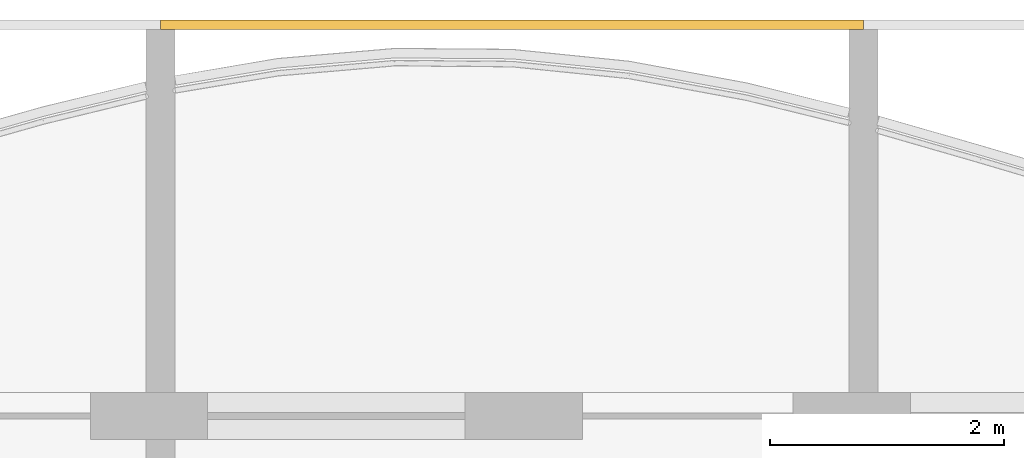
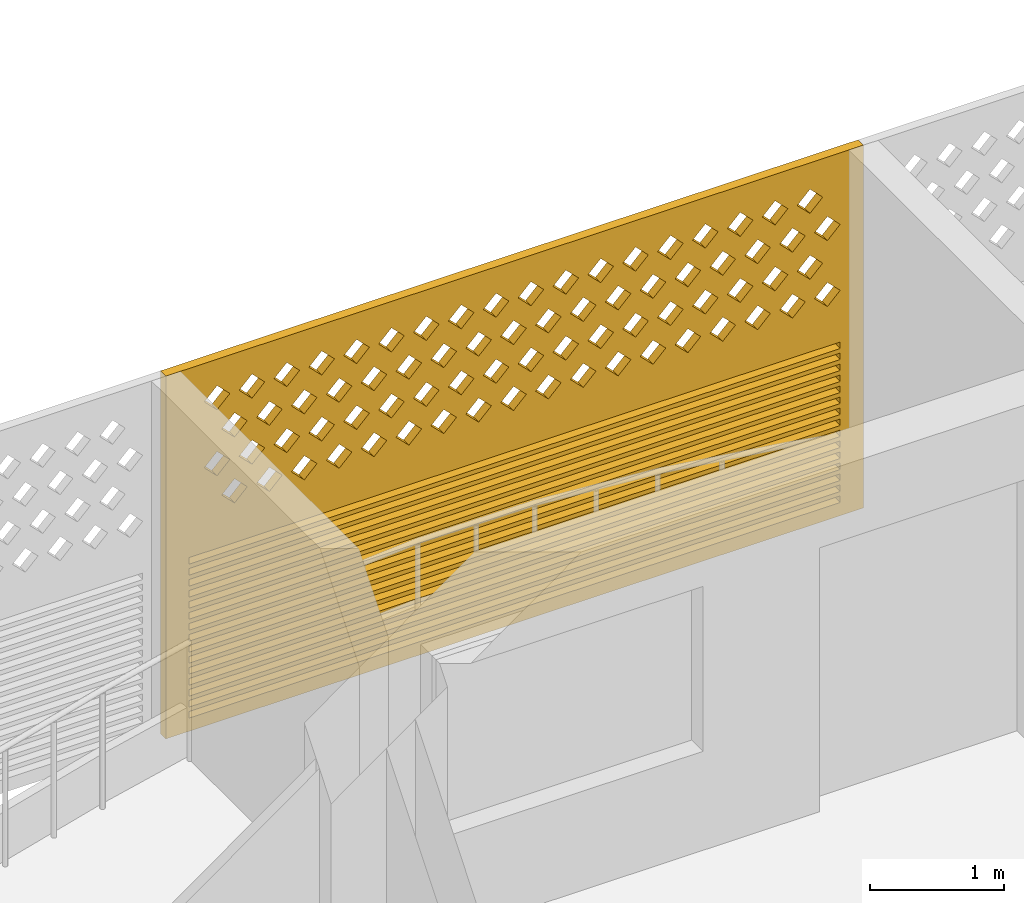
# One storey, part 21 of 29: 1 covering.
"""IFC4 building model written with IfcOpenShell, lengths in metres."""

import ifcopenshell
import ifcopenshell.guid

model = None  # the IFC model being written
_history = None  # IfcOwnerHistory: only IFC2X3 demands one
_inside = {}  # id of a spatial element -> (the spatial element, [elements in it])
_under = {}  # id of a project, library or spatial element -> (it, [spatial elements below it])
_declared = {}  # id of a project -> (the project, [libraries it declares])
_typed = {}  # id of a type object -> (the type object, [elements of that type])
_made_of = {}  # id of a material, layer set ... -> (it, [elements and type objects made of it])


def new_model(schema):
    """Start an empty IFC model of exactly this schema.

    Asked for "IFC4X3", IfcOpenShell would pick the latest addendum, in which some entities
    have other attributes; the version numbers below select the first issue.
    IFC2X3 requires an IfcOwnerHistory on every rooted entity: one is made here for all.
    """
    global model, _history
    if schema == "IFC4X3":
        model = ifcopenshell.file(schema_version=(4, 3, 0, 0))
    else:
        model = ifcopenshell.file(schema=schema)
    _inside.clear()
    _under.clear()
    _declared.clear()
    _typed.clear()
    _made_of.clear()
    _history = None
    if model.schema == "IFC2X3":
        org = make("IfcOrganization", Name="unknown")
        user = make(
            "IfcPersonAndOrganization",
            ThePerson=make("IfcPerson", FamilyName="unknown"),
            TheOrganization=org,
        )
        app = make(
            "IfcApplication",
            ApplicationDeveloper=org,
            Version="unknown",
            ApplicationFullName="unknown",
            ApplicationIdentifier="unknown",
        )
        _history = make(
            "IfcOwnerHistory",
            OwningUser=user,
            OwningApplication=app,
            ChangeAction="ADDED",
            CreationDate=0,
        )
    return model


def make(cls, **values):
    """One entity of the class cls with the attributes given. An attribute that is None is left unset."""
    return model.create_entity(
        cls, **{name: value for name, value in values.items() if value is not None}
    )


def rooted(cls, **values):
    """An entity with a GlobalId (a new one), such as an element, a storey or a relation."""
    return make(cls, GlobalId=ifcopenshell.guid.new(), OwnerHistory=_history, **values)


def si_unit(unit_type, name, prefix=None):
    """IfcSIUnit, for example si_unit("LENGTHUNIT", "METRE", prefix="MILLI")."""
    return make("IfcSIUnit", UnitType=unit_type, Prefix=prefix, Name=name)


def assignment(units):
    """IfcUnitAssignment: the units of a project."""
    return None if units is None else make("IfcUnitAssignment", Units=units)


def point(xyz):
    """IfcCartesianPoint."""
    return None if xyz is None else make("IfcCartesianPoint", Coordinates=xyz)


def direction(xyz):
    """IfcDirection."""
    return None if xyz is None else make("IfcDirection", DirectionRatios=xyz)


def frame(location, z_axis=None, x_axis=None):
    """IfcAxis2Placement3D, a coordinate frame: its origin and axes. An axis left out is left unset."""
    return make(
        "IfcAxis2Placement3D",
        Location=point(location),
        Axis=direction(z_axis),
        RefDirection=direction(x_axis),
    )


def origin():
    """The frame at (0, 0, 0) with its axes left unset."""
    return frame((0.0, 0.0, 0.0))


def place(relative_to, where):
    """IfcLocalPlacement: puts the frame where relative to a parent placement (None: the world)."""
    return make(
        "IfcLocalPlacement", PlacementRelTo=relative_to, RelativePlacement=where
    )


def context(
    kind, dimensions, precision=None, world=None, true_north=None, identifier=None
):
    """IfcGeometricRepresentationContext, for example the 3D "Model" context."""
    return make(
        "IfcGeometricRepresentationContext",
        ContextIdentifier=identifier,
        ContextType=kind,
        CoordinateSpaceDimension=dimensions,
        Precision=precision,
        WorldCoordinateSystem=world,
        TrueNorth=true_north,
    )


def subcontext(parent, identifier, kind, view, scale=None):
    """IfcGeometricRepresentationSubContext, for example "Body" below "Model"."""
    return make(
        "IfcGeometricRepresentationSubContext",
        ContextIdentifier=identifier,
        ContextType=kind,
        ParentContext=parent,
        TargetScale=scale,
        TargetView=view,
    )


def project(units=None, contexts=None):
    """IfcProject with its units and contexts."""
    return rooted(
        "IfcProject",
        Name="project",
        RepresentationContexts=contexts,
        UnitsInContext=assignment(units),
    )


def spatial(cls, under=None, at=None, **own):
    """A site, building, storey or space (cls), placed at a placement, below another one or the project."""
    s = rooted(cls, ObjectPlacement=at, **own)
    if under is not None:
        _under.setdefault(under.id(), (under, []))[1].append(s)
    return s


def polyline(points):
    """IfcPolyline through the points."""
    return make("IfcPolyline", Points=[point(p) for p in points])


def outline(outer, holes=None, kind="AREA"):
    """IfcArbitraryClosedProfileDef: a profile drawn as a closed curve; with holes, ...WithVoids."""
    if holes is None:
        return make("IfcArbitraryClosedProfileDef", ProfileType=kind, OuterCurve=outer)
    return make(
        "IfcArbitraryProfileDefWithVoids",
        ProfileType=kind,
        OuterCurve=outer,
        InnerCurves=holes,
    )


def extrude(swept, where, along, depth):
    """IfcExtrudedAreaSolid: the profile swept, set in the frame where, extruded along a direction by depth."""
    return make(
        "IfcExtrudedAreaSolid",
        SweptArea=swept,
        Position=where,
        ExtrudedDirection=direction(along),
        Depth=depth,
    )


def shape(context_of_items, identifier, shape_type, items):
    """IfcShapeRepresentation: the items that make up one representation, for example the "Body"."""
    return make(
        "IfcShapeRepresentation",
        ContextOfItems=context_of_items,
        RepresentationIdentifier=identifier,
        RepresentationType=shape_type,
        Items=items,
    )


def source(mapping_origin, context_of_items, identifier, shape_type, items):
    """IfcRepresentationMap: a shape defined once, which mapped items show again and again."""
    return make(
        "IfcRepresentationMap",
        MappingOrigin=mapping_origin,
        MappedRepresentation=shape(context_of_items, identifier, shape_type, items),
    )


def transform(
    local_origin,
    x_axis=None,
    y_axis=None,
    z_axis=None,
    scale=None,
    scale2=None,
    scale3=None,
    uniform=True,
):
    """IfcCartesianTransformationOperator3D, or its non-uniform kind. x_axis, y_axis, z_axis: its Axis1, 2, 3."""
    if uniform:
        return make(
            "IfcCartesianTransformationOperator3D",
            Axis1=direction(x_axis),
            Axis2=direction(y_axis),
            LocalOrigin=point(local_origin),
            Scale=scale,
            Axis3=direction(z_axis),
        )
    return make(
        "IfcCartesianTransformationOperator3DnonUniform",
        Axis1=direction(x_axis),
        Axis2=direction(y_axis),
        LocalOrigin=point(local_origin),
        Scale=scale,
        Axis3=direction(z_axis),
        Scale2=scale2,
        Scale3=scale3,
    )


def mapped(mapping_source, mapping_target):
    """IfcMappedItem: shows the shape of a source again, moved by a transform."""
    return make(
        "IfcMappedItem", MappingSource=mapping_source, MappingTarget=mapping_target
    )


def material(Name=None, Category=None):
    """IfcMaterial."""
    return make("IfcMaterial", Name=Name, Category=Category)


def material_profile(
    of_material, cross_section, Name=None, Category=None, Priority=None
):
    """IfcMaterialProfile: a cross section and its material."""
    return make(
        "IfcMaterialProfile",
        Name=Name,
        Material=of_material,
        Profile=cross_section,
        Priority=Priority,
        Category=Category,
    )


def profile_set(profiles, Name=None, composite=None):
    """IfcMaterialProfileSet."""
    return make(
        "IfcMaterialProfileSet",
        Name=Name,
        MaterialProfiles=profiles,
        CompositeProfile=composite,
    )


def made_of(thing, what):
    """Note that an element or type object is made of a material, layer set ...; save() writes the relation."""
    if what is not None:
        _made_of.setdefault(what.id(), (what, []))[1].append(thing)
    return thing


def type_object(cls, material=None, **own):
    """A type object (cls), such as IfcWallType, which elements share."""
    return made_of(rooted(cls, **own), material)


def element(
    cls,
    number,
    at=None,
    inside=None,
    cuts=None,
    type_object=None,
    material=None,
    context=None,
    identifier="Body",
    shape_type=None,
    held_by="IfcProductDefinitionShape",
    body=None,
    shapes=None,
    **own,
):
    """One element of the class cls, such as IfcWall. Its Tag is "e" and its number.

    at: its placement. inside: the storey or other place that contains it. cuts: it is an
    opening in that element (IfcRelVoidsElement). A single representation is given by context,
    identifier, shape_type and body (its items); several are given by shapes. held_by: the class
    of the entity that holds the representations. save() writes the other relations.
    """
    e = rooted(cls, Tag="e%d" % number, ObjectPlacement=at, **own)
    if body is not None:
        shapes = [shape(context, identifier, shape_type, body)]
    if shapes is not None:
        e.Representation = make(held_by, Representations=shapes)
    if inside is not None:
        _inside.setdefault(inside.id(), (inside, []))[1].append(e)
    if cuts is not None:
        rooted(
            "IfcRelVoidsElement", RelatingBuildingElement=cuts, RelatedOpeningElement=e
        )
    if type_object is not None:
        _typed.setdefault(type_object.id(), (type_object, []))[1].append(e)
    return made_of(e, material)


def aggregate(whole, parts):
    """IfcRelAggregates: a whole, such as a stair, and the parts it consists of."""
    return rooted("IfcRelAggregates", RelatingObject=whole, RelatedObjects=parts)


def save(model, path):
    """Write the relations noted so far, then the file.

    IfcRelAggregates (storeys below a building ...), IfcRelContainedInSpatialStructure (elements
    in a storey), IfcRelDefinesByType, IfcRelAssociatesMaterial and IfcRelDeclares: one each for
    every whole, place, type object, material and project.
    """
    for whole, parts in _under.values():
        aggregate(whole, parts)
    for where, things in _inside.values():
        rooted(
            "IfcRelContainedInSpatialStructure",
            RelatedElements=things,
            RelatingStructure=where,
        )
    for kind, things in _typed.values():
        rooted("IfcRelDefinesByType", RelatedObjects=things, RelatingType=kind)
    for what, things in _made_of.values():
        rooted("IfcRelAssociatesMaterial", RelatedObjects=things, RelatingMaterial=what)
    for by, libraries in _declared.values():
        rooted("IfcRelDeclares", RelatingContext=by, RelatedDefinitions=libraries)
    model.write(path)


model = new_model("IFC4")

# Units and contexts
model_context = context("Model", 3, precision=1e-05, world=origin(), true_north=direction((0.0, 1.0)))
body_context = subcontext(model_context, "Body", "Model", "MODEL_VIEW")
ifc_project = project(units=[si_unit("LENGTHUNIT", "METRE"), si_unit("AREAUNIT", "SQUARE_METRE"), si_unit("VOLUMEUNIT", "CUBIC_METRE"), si_unit("PLANEANGLEUNIT", "RADIAN"), si_unit("MASSUNIT", "GRAM", prefix="KILO")], contexts=[model_context])

# Site, building, storey
site_placement = place(None, origin())
site = spatial("IfcSite", under=ifc_project, at=site_placement, CompositionType="ELEMENT")
building_placement = place(site_placement, origin())
building = spatial("IfcBuilding", under=site, at=building_placement, Name="Poui Terraces", CompositionType="ELEMENT")
storey_placement = place(building_placement, frame((0.0, 0.0, 237.89990234375)))
storey = spatial("IfcBuildingStorey", under=building, at=storey_placement, Name="L66", CompositionType="ELEMENT", Elevation=237.89990234375)

# Covering
ifc_material = material(Name="Terracotta screen", Category="masonry")
ifc_material_profile = material_profile(ifc_material, outline(polyline([(-3.0, -1.64990234375), (3.0, -1.64990234375), (3.0, 1.64990234375), (-3.0, 1.64990234375), (-3.0, -1.64990234375)]), holes=[polyline([(-2.800048828125, 0.39990234375), (-2.68994140625, 0.2900390625), (-2.580078125, 0.39990234375), (-2.68994140625, 0.510009765625), (-2.800048828125, 0.39990234375)]), polyline([(-2.5, 0.39990234375), (-2.389892578125, 0.2900390625), (-2.280029296875, 0.39990234375), (-2.389892578125, 0.510009765625), (-2.5, 0.39990234375)]), polyline([(-2.199951171875, 0.39990234375), (-2.090087890625, 0.2900390625), (-1.97998046875, 0.39990234375), (-2.090087890625, 0.510009765625), (-2.199951171875, 0.39990234375)]), polyline([(-1.89990234375, 0.39990234375), (-1.7900390625, 0.2900390625), (-1.679931640625, 0.39990234375), (-1.7900390625, 0.510009765625), (-1.89990234375, 0.39990234375)]), polyline([(-1.60009765625, 0.39990234375), (-1.489990234375, 0.2900390625), (-1.3798828125, 0.39990234375), (-1.489990234375, 0.510009765625), (-1.60009765625, 0.39990234375)]), polyline([(-1.300048828125, 0.39990234375), (-1.18994140625, 0.2900390625), (-1.080078125, 0.39990234375), (-1.18994140625, 0.510009765625), (-1.300048828125, 0.39990234375)]), polyline([(-1.0, 0.39990234375), (-0.889892578125, 0.2900390625), (-0.780029296875, 0.39990234375), (-0.889892578125, 0.510009765625), (-1.0, 0.39990234375)]), polyline([(-0.699951171875, 0.39990234375), (-0.590087890625, 0.2900390625), (-0.47998046875, 0.39990234375), (-0.590087890625, 0.510009765625), (-0.699951171875, 0.39990234375)]), polyline([(-0.39990234375, 0.39990234375), (-0.2900390625, 0.2900390625), (-0.179931640625, 0.39990234375), (-0.2900390625, 0.510009765625), (-0.39990234375, 0.39990234375)]), polyline([(-0.10009765625, 0.39990234375), (0.010009765625, 0.2900390625), (0.1201171875, 0.39990234375), (0.010009765625, 0.510009765625), (-0.10009765625, 0.39990234375)]), polyline([(0.199951171875, 0.39990234375), (0.31005859375, 0.2900390625), (0.419921875, 0.39990234375), (0.31005859375, 0.510009765625), (0.199951171875, 0.39990234375)]), polyline([(0.5, 0.39990234375), (0.610107421875, 0.2900390625), (0.719970703125, 0.39990234375), (0.610107421875, 0.510009765625), (0.5, 0.39990234375)]), polyline([(0.800048828125, 0.39990234375), (0.909912109375, 0.2900390625), (1.02001953125, 0.39990234375), (0.909912109375, 0.510009765625), (0.800048828125, 0.39990234375)]), polyline([(1.10009765625, 0.39990234375), (1.2099609375, 0.2900390625), (1.320068359375, 0.39990234375), (1.2099609375, 0.510009765625), (1.10009765625, 0.39990234375)]), polyline([(1.39990234375, 0.39990234375), (1.510009765625, 0.2900390625), (1.6201171875, 0.39990234375), (1.510009765625, 0.510009765625), (1.39990234375, 0.39990234375)]), polyline([(1.699951171875, 0.39990234375), (1.81005859375, 0.2900390625), (1.919921875, 0.39990234375), (1.81005859375, 0.510009765625), (1.699951171875, 0.39990234375)]), polyline([(2.0, 0.39990234375), (2.110107421875, 0.2900390625), (2.219970703125, 0.39990234375), (2.110107421875, 0.510009765625), (2.0, 0.39990234375)]), polyline([(2.300048828125, 0.39990234375), (2.409912109375, 0.2900390625), (2.52001953125, 0.39990234375), (2.409912109375, 0.510009765625), (2.300048828125, 0.39990234375)]), polyline([(-2.64990234375, 0.699951171875), (-2.5400390625, 0.590087890625), (-2.429931640625, 0.699951171875), (-2.5400390625, 0.81005859375), (-2.64990234375, 0.699951171875)]), polyline([(-2.35009765625, 0.699951171875), (-2.239990234375, 0.590087890625), (-2.1298828125, 0.699951171875), (-2.239990234375, 0.81005859375), (-2.35009765625, 0.699951171875)]), polyline([(-2.050048828125, 0.699951171875), (-1.93994140625, 0.590087890625), (-1.830078125, 0.699951171875), (-1.93994140625, 0.81005859375), (-2.050048828125, 0.699951171875)]), polyline([(-1.75, 0.699951171875), (-1.639892578125, 0.590087890625), (-1.530029296875, 0.699951171875), (-1.639892578125, 0.81005859375), (-1.75, 0.699951171875)]), polyline([(-1.449951171875, 0.699951171875), (-1.340087890625, 0.590087890625), (-1.22998046875, 0.699951171875), (-1.340087890625, 0.81005859375), (-1.449951171875, 0.699951171875)]), polyline([(-1.14990234375, 0.699951171875), (-1.0400390625, 0.590087890625), (-0.929931640625, 0.699951171875), (-1.0400390625, 0.81005859375), (-1.14990234375, 0.699951171875)]), polyline([(-0.85009765625, 0.699951171875), (-0.739990234375, 0.590087890625), (-0.6298828125, 0.699951171875), (-0.739990234375, 0.81005859375), (-0.85009765625, 0.699951171875)]), polyline([(-0.550048828125, 0.699951171875), (-0.43994140625, 0.590087890625), (-0.330078125, 0.699951171875), (-0.43994140625, 0.81005859375), (-0.550048828125, 0.699951171875)]), polyline([(-0.25, 0.699951171875), (-0.139892578125, 0.590087890625), (-0.030029296875, 0.699951171875), (-0.139892578125, 0.81005859375), (-0.25, 0.699951171875)]), polyline([(0.050048828125, 0.699951171875), (0.159912109375, 0.590087890625), (0.27001953125, 0.699951171875), (0.159912109375, 0.81005859375), (0.050048828125, 0.699951171875)]), polyline([(0.35009765625, 0.699951171875), (0.4599609375, 0.590087890625), (0.570068359375, 0.699951171875), (0.4599609375, 0.81005859375), (0.35009765625, 0.699951171875)]), polyline([(0.64990234375, 0.699951171875), (0.760009765625, 0.590087890625), (0.8701171875, 0.699951171875), (0.760009765625, 0.81005859375), (0.64990234375, 0.699951171875)]), polyline([(0.949951171875, 0.699951171875), (1.06005859375, 0.590087890625), (1.169921875, 0.699951171875), (1.06005859375, 0.81005859375), (0.949951171875, 0.699951171875)]), polyline([(1.25, 0.699951171875), (1.360107421875, 0.590087890625), (1.469970703125, 0.699951171875), (1.360107421875, 0.81005859375), (1.25, 0.699951171875)]), polyline([(1.550048828125, 0.699951171875), (1.659912109375, 0.590087890625), (1.77001953125, 0.699951171875), (1.659912109375, 0.81005859375), (1.550048828125, 0.699951171875)]), polyline([(1.85009765625, 0.699951171875), (1.9599609375, 0.590087890625), (2.070068359375, 0.699951171875), (1.9599609375, 0.81005859375), (1.85009765625, 0.699951171875)]), polyline([(2.14990234375, 0.699951171875), (2.260009765625, 0.590087890625), (2.3701171875, 0.699951171875), (2.260009765625, 0.81005859375), (2.14990234375, 0.699951171875)]), polyline([(2.449951171875, 0.699951171875), (2.56005859375, 0.590087890625), (2.669921875, 0.699951171875), (2.56005859375, 0.81005859375), (2.449951171875, 0.699951171875)]), polyline([(-2.800048828125, 1.0), (-2.68994140625, 0.889892578125), (-2.580078125, 1.0), (-2.68994140625, 1.110107421875), (-2.800048828125, 1.0)]), polyline([(-2.5, 1.0), (-2.389892578125, 0.889892578125), (-2.280029296875, 1.0), (-2.389892578125, 1.110107421875), (-2.5, 1.0)]), polyline([(-2.199951171875, 1.0), (-2.090087890625, 0.889892578125), (-1.97998046875, 1.0), (-2.090087890625, 1.110107421875), (-2.199951171875, 1.0)]), polyline([(-1.89990234375, 1.0), (-1.7900390625, 0.889892578125), (-1.679931640625, 1.0), (-1.7900390625, 1.110107421875), (-1.89990234375, 1.0)]), polyline([(-1.60009765625, 1.0), (-1.489990234375, 0.889892578125), (-1.3798828125, 1.0), (-1.489990234375, 1.110107421875), (-1.60009765625, 1.0)]), polyline([(-1.300048828125, 1.0), (-1.18994140625, 0.889892578125), (-1.080078125, 1.0), (-1.18994140625, 1.110107421875), (-1.300048828125, 1.0)]), polyline([(-1.0, 1.0), (-0.889892578125, 0.889892578125), (-0.780029296875, 1.0), (-0.889892578125, 1.110107421875), (-1.0, 1.0)]), polyline([(-0.699951171875, 1.0), (-0.590087890625, 0.889892578125), (-0.47998046875, 1.0), (-0.590087890625, 1.110107421875), (-0.699951171875, 1.0)]), polyline([(-0.39990234375, 1.0), (-0.2900390625, 0.889892578125), (-0.179931640625, 1.0), (-0.2900390625, 1.110107421875), (-0.39990234375, 1.0)]), polyline([(-0.10009765625, 1.0), (0.010009765625, 0.889892578125), (0.1201171875, 1.0), (0.010009765625, 1.110107421875), (-0.10009765625, 1.0)]), polyline([(0.199951171875, 1.0), (0.31005859375, 0.889892578125), (0.419921875, 1.0), (0.31005859375, 1.110107421875), (0.199951171875, 1.0)]), polyline([(0.5, 1.0), (0.610107421875, 0.889892578125), (0.719970703125, 1.0), (0.610107421875, 1.110107421875), (0.5, 1.0)]), polyline([(0.800048828125, 1.0), (0.909912109375, 0.889892578125), (1.02001953125, 1.0), (0.909912109375, 1.110107421875), (0.800048828125, 1.0)]), polyline([(1.10009765625, 1.0), (1.2099609375, 0.889892578125), (1.320068359375, 1.0), (1.2099609375, 1.110107421875), (1.10009765625, 1.0)]), polyline([(1.39990234375, 1.0), (1.510009765625, 0.889892578125), (1.6201171875, 1.0), (1.510009765625, 1.110107421875), (1.39990234375, 1.0)]), polyline([(1.699951171875, 1.0), (1.81005859375, 0.889892578125), (1.919921875, 1.0), (1.81005859375, 1.110107421875), (1.699951171875, 1.0)]), polyline([(2.0, 1.0), (2.110107421875, 0.889892578125), (2.219970703125, 1.0), (2.110107421875, 1.110107421875), (2.0, 1.0)]), polyline([(2.300048828125, 1.0), (2.409912109375, 0.889892578125), (2.52001953125, 1.0), (2.409912109375, 1.110107421875), (2.300048828125, 1.0)]), polyline([(-2.64990234375, 1.300048828125), (-2.5400390625, 1.18994140625), (-2.429931640625, 1.300048828125), (-2.5400390625, 1.409912109375), (-2.64990234375, 1.300048828125)]), polyline([(-2.35009765625, 1.300048828125), (-2.239990234375, 1.18994140625), (-2.1298828125, 1.300048828125), (-2.239990234375, 1.409912109375), (-2.35009765625, 1.300048828125)]), polyline([(-2.050048828125, 1.300048828125), (-1.93994140625, 1.18994140625), (-1.830078125, 1.300048828125), (-1.93994140625, 1.409912109375), (-2.050048828125, 1.300048828125)]), polyline([(-1.75, 1.300048828125), (-1.639892578125, 1.18994140625), (-1.530029296875, 1.300048828125), (-1.639892578125, 1.409912109375), (-1.75, 1.300048828125)]), polyline([(-1.449951171875, 1.300048828125), (-1.340087890625, 1.18994140625), (-1.22998046875, 1.300048828125), (-1.340087890625, 1.409912109375), (-1.449951171875, 1.300048828125)]), polyline([(-1.14990234375, 1.300048828125), (-1.0400390625, 1.18994140625), (-0.929931640625, 1.300048828125), (-1.0400390625, 1.409912109375), (-1.14990234375, 1.300048828125)]), polyline([(-0.85009765625, 1.300048828125), (-0.739990234375, 1.18994140625), (-0.6298828125, 1.300048828125), (-0.739990234375, 1.409912109375), (-0.85009765625, 1.300048828125)]), polyline([(-0.550048828125, 1.300048828125), (-0.43994140625, 1.18994140625), (-0.330078125, 1.300048828125), (-0.43994140625, 1.409912109375), (-0.550048828125, 1.300048828125)]), polyline([(-0.25, 1.300048828125), (-0.139892578125, 1.18994140625), (-0.030029296875, 1.300048828125), (-0.139892578125, 1.409912109375), (-0.25, 1.300048828125)]), polyline([(0.050048828125, 1.300048828125), (0.159912109375, 1.18994140625), (0.27001953125, 1.300048828125), (0.159912109375, 1.409912109375), (0.050048828125, 1.300048828125)]), polyline([(0.35009765625, 1.300048828125), (0.4599609375, 1.18994140625), (0.570068359375, 1.300048828125), (0.4599609375, 1.409912109375), (0.35009765625, 1.300048828125)]), polyline([(0.64990234375, 1.300048828125), (0.760009765625, 1.18994140625), (0.8701171875, 1.300048828125), (0.760009765625, 1.409912109375), (0.64990234375, 1.300048828125)]), polyline([(0.949951171875, 1.300048828125), (1.06005859375, 1.18994140625), (1.169921875, 1.300048828125), (1.06005859375, 1.409912109375), (0.949951171875, 1.300048828125)]), polyline([(1.25, 1.300048828125), (1.360107421875, 1.18994140625), (1.469970703125, 1.300048828125), (1.360107421875, 1.409912109375), (1.25, 1.300048828125)]), polyline([(1.550048828125, 1.300048828125), (1.659912109375, 1.18994140625), (1.77001953125, 1.300048828125), (1.659912109375, 1.409912109375), (1.550048828125, 1.300048828125)]), polyline([(1.85009765625, 1.300048828125), (1.9599609375, 1.18994140625), (2.070068359375, 1.300048828125), (1.9599609375, 1.409912109375), (1.85009765625, 1.300048828125)]), polyline([(2.14990234375, 1.300048828125), (2.260009765625, 1.18994140625), (2.3701171875, 1.300048828125), (2.260009765625, 1.409912109375), (2.14990234375, 1.300048828125)]), polyline([(2.449951171875, 1.300048828125), (2.56005859375, 1.18994140625), (2.669921875, 1.300048828125), (2.56005859375, 1.409912109375), (2.449951171875, 1.300048828125)]), polyline([(-2.800048828125, -1.530029296875), (2.800048828125, -1.530029296875), (2.800048828125, -1.469970703125), (-2.800048828125, -1.469970703125), (-2.800048828125, -1.530029296875)]), polyline([(-2.800048828125, -1.429931640625), (2.800048828125, -1.429931640625), (2.800048828125, -1.3701171875), (-2.800048828125, -1.3701171875), (-2.800048828125, -1.429931640625)]), polyline([(-2.800048828125, -1.330078125), (2.800048828125, -1.330078125), (2.800048828125, -1.27001953125), (-2.800048828125, -1.27001953125), (-2.800048828125, -1.330078125)]), polyline([(-2.800048828125, -1.22998046875), (2.800048828125, -1.22998046875), (2.800048828125, -1.169921875), (-2.800048828125, -1.169921875), (-2.800048828125, -1.22998046875)]), polyline([(-2.800048828125, -1.1298828125), (2.800048828125, -1.1298828125), (2.800048828125, -1.070068359375), (-2.800048828125, -1.070068359375), (-2.800048828125, -1.1298828125)]), polyline([(-2.800048828125, -1.030029296875), (2.800048828125, -1.030029296875), (2.800048828125, -0.969970703125), (-2.800048828125, -0.969970703125), (-2.800048828125, -1.030029296875)]), polyline([(-2.800048828125, -0.929931640625), (2.800048828125, -0.929931640625), (2.800048828125, -0.8701171875), (-2.800048828125, -0.8701171875), (-2.800048828125, -0.929931640625)]), polyline([(-2.800048828125, -0.830078125), (2.800048828125, -0.830078125), (2.800048828125, -0.77001953125), (-2.800048828125, -0.77001953125), (-2.800048828125, -0.830078125)]), polyline([(-2.800048828125, -0.72998046875), (2.800048828125, -0.72998046875), (2.800048828125, -0.669921875), (-2.800048828125, -0.669921875), (-2.800048828125, -0.72998046875)]), polyline([(-2.800048828125, -0.6298828125), (2.800048828125, -0.6298828125), (2.800048828125, -0.570068359375), (-2.800048828125, -0.570068359375), (-2.800048828125, -0.6298828125)]), polyline([(-2.800048828125, -0.530029296875), (2.800048828125, -0.530029296875), (2.800048828125, -0.469970703125), (-2.800048828125, -0.469970703125), (-2.800048828125, -0.530029296875)]), polyline([(-2.800048828125, -0.429931640625), (2.800048828125, -0.429931640625), (2.800048828125, -0.3701171875), (-2.800048828125, -0.3701171875), (-2.800048828125, -0.429931640625)]), polyline([(-2.800048828125, -0.330078125), (2.800048828125, -0.330078125), (2.800048828125, -0.27001953125), (-2.800048828125, -0.27001953125), (-2.800048828125, -0.330078125)]), polyline([(-2.800048828125, -0.22998046875), (2.800048828125, -0.22998046875), (2.800048828125, -0.169921875), (-2.800048828125, -0.169921875), (-2.800048828125, -0.22998046875)]), polyline([(-2.800048828125, -0.1298828125), (2.800048828125, -0.1298828125), (2.800048828125, -0.070068359375), (-2.800048828125, -0.070068359375), (-2.800048828125, -0.1298828125)])]), Name="TERRACOTTA SCREEN AND JALOUSIE LOUVRE 6000X3300")
ifc_profile_set = profile_set([ifc_material_profile], Name="Terracotta screen")
covering_type = type_object("IfcCoveringType", Name="TERRACOTTA SCREEN AND JALOUSIE LOUVRE 6000X3300", PredefinedType="CLADDING", material=ifc_profile_set)
shared_shape = source(origin(), body_context, "Body", "SweptSolid", [
    extrude(outline(polyline([(-3.0, -1.64990234375), (3.0, -1.64990234375), (3.0, 1.64990234375), (-3.0, 1.64990234375), (-3.0, -1.64990234375)]), holes=[polyline([(-2.800048828125, 0.39990234375), (-2.68994140625, 0.2900390625), (-2.580078125, 0.39990234375), (-2.68994140625, 0.510009765625), (-2.800048828125, 0.39990234375)]), polyline([(-2.5, 0.39990234375), (-2.389892578125, 0.2900390625), (-2.280029296875, 0.39990234375), (-2.389892578125, 0.510009765625), (-2.5, 0.39990234375)]), polyline([(-2.199951171875, 0.39990234375), (-2.090087890625, 0.2900390625), (-1.97998046875, 0.39990234375), (-2.090087890625, 0.510009765625), (-2.199951171875, 0.39990234375)]), polyline([(-1.89990234375, 0.39990234375), (-1.7900390625, 0.2900390625), (-1.679931640625, 0.39990234375), (-1.7900390625, 0.510009765625), (-1.89990234375, 0.39990234375)]), polyline([(-1.60009765625, 0.39990234375), (-1.489990234375, 0.2900390625), (-1.3798828125, 0.39990234375), (-1.489990234375, 0.510009765625), (-1.60009765625, 0.39990234375)]), polyline([(-1.300048828125, 0.39990234375), (-1.18994140625, 0.2900390625), (-1.080078125, 0.39990234375), (-1.18994140625, 0.510009765625), (-1.300048828125, 0.39990234375)]), polyline([(-1.0, 0.39990234375), (-0.889892578125, 0.2900390625), (-0.780029296875, 0.39990234375), (-0.889892578125, 0.510009765625), (-1.0, 0.39990234375)]), polyline([(-0.699951171875, 0.39990234375), (-0.590087890625, 0.2900390625), (-0.47998046875, 0.39990234375), (-0.590087890625, 0.510009765625), (-0.699951171875, 0.39990234375)]), polyline([(-0.39990234375, 0.39990234375), (-0.2900390625, 0.2900390625), (-0.179931640625, 0.39990234375), (-0.2900390625, 0.510009765625), (-0.39990234375, 0.39990234375)]), polyline([(-0.10009765625, 0.39990234375), (0.010009765625, 0.2900390625), (0.1201171875, 0.39990234375), (0.010009765625, 0.510009765625), (-0.10009765625, 0.39990234375)]), polyline([(0.199951171875, 0.39990234375), (0.31005859375, 0.2900390625), (0.419921875, 0.39990234375), (0.31005859375, 0.510009765625), (0.199951171875, 0.39990234375)]), polyline([(0.5, 0.39990234375), (0.610107421875, 0.2900390625), (0.719970703125, 0.39990234375), (0.610107421875, 0.510009765625), (0.5, 0.39990234375)]), polyline([(0.800048828125, 0.39990234375), (0.909912109375, 0.2900390625), (1.02001953125, 0.39990234375), (0.909912109375, 0.510009765625), (0.800048828125, 0.39990234375)]), polyline([(1.10009765625, 0.39990234375), (1.2099609375, 0.2900390625), (1.320068359375, 0.39990234375), (1.2099609375, 0.510009765625), (1.10009765625, 0.39990234375)]), polyline([(1.39990234375, 0.39990234375), (1.510009765625, 0.2900390625), (1.6201171875, 0.39990234375), (1.510009765625, 0.510009765625), (1.39990234375, 0.39990234375)]), polyline([(1.699951171875, 0.39990234375), (1.81005859375, 0.2900390625), (1.919921875, 0.39990234375), (1.81005859375, 0.510009765625), (1.699951171875, 0.39990234375)]), polyline([(2.0, 0.39990234375), (2.110107421875, 0.2900390625), (2.219970703125, 0.39990234375), (2.110107421875, 0.510009765625), (2.0, 0.39990234375)]), polyline([(2.300048828125, 0.39990234375), (2.409912109375, 0.2900390625), (2.52001953125, 0.39990234375), (2.409912109375, 0.510009765625), (2.300048828125, 0.39990234375)]), polyline([(-2.64990234375, 0.699951171875), (-2.5400390625, 0.590087890625), (-2.429931640625, 0.699951171875), (-2.5400390625, 0.81005859375), (-2.64990234375, 0.699951171875)]), polyline([(-2.35009765625, 0.699951171875), (-2.239990234375, 0.590087890625), (-2.1298828125, 0.699951171875), (-2.239990234375, 0.81005859375), (-2.35009765625, 0.699951171875)]), polyline([(-2.050048828125, 0.699951171875), (-1.93994140625, 0.590087890625), (-1.830078125, 0.699951171875), (-1.93994140625, 0.81005859375), (-2.050048828125, 0.699951171875)]), polyline([(-1.75, 0.699951171875), (-1.639892578125, 0.590087890625), (-1.530029296875, 0.699951171875), (-1.639892578125, 0.81005859375), (-1.75, 0.699951171875)]), polyline([(-1.449951171875, 0.699951171875), (-1.340087890625, 0.590087890625), (-1.22998046875, 0.699951171875), (-1.340087890625, 0.81005859375), (-1.449951171875, 0.699951171875)]), polyline([(-1.14990234375, 0.699951171875), (-1.0400390625, 0.590087890625), (-0.929931640625, 0.699951171875), (-1.0400390625, 0.81005859375), (-1.14990234375, 0.699951171875)]), polyline([(-0.85009765625, 0.699951171875), (-0.739990234375, 0.590087890625), (-0.6298828125, 0.699951171875), (-0.739990234375, 0.81005859375), (-0.85009765625, 0.699951171875)]), polyline([(-0.550048828125, 0.699951171875), (-0.43994140625, 0.590087890625), (-0.330078125, 0.699951171875), (-0.43994140625, 0.81005859375), (-0.550048828125, 0.699951171875)]), polyline([(-0.25, 0.699951171875), (-0.139892578125, 0.590087890625), (-0.030029296875, 0.699951171875), (-0.139892578125, 0.81005859375), (-0.25, 0.699951171875)]), polyline([(0.050048828125, 0.699951171875), (0.159912109375, 0.590087890625), (0.27001953125, 0.699951171875), (0.159912109375, 0.81005859375), (0.050048828125, 0.699951171875)]), polyline([(0.35009765625, 0.699951171875), (0.4599609375, 0.590087890625), (0.570068359375, 0.699951171875), (0.4599609375, 0.81005859375), (0.35009765625, 0.699951171875)]), polyline([(0.64990234375, 0.699951171875), (0.760009765625, 0.590087890625), (0.8701171875, 0.699951171875), (0.760009765625, 0.81005859375), (0.64990234375, 0.699951171875)]), polyline([(0.949951171875, 0.699951171875), (1.06005859375, 0.590087890625), (1.169921875, 0.699951171875), (1.06005859375, 0.81005859375), (0.949951171875, 0.699951171875)]), polyline([(1.25, 0.699951171875), (1.360107421875, 0.590087890625), (1.469970703125, 0.699951171875), (1.360107421875, 0.81005859375), (1.25, 0.699951171875)]), polyline([(1.550048828125, 0.699951171875), (1.659912109375, 0.590087890625), (1.77001953125, 0.699951171875), (1.659912109375, 0.81005859375), (1.550048828125, 0.699951171875)]), polyline([(1.85009765625, 0.699951171875), (1.9599609375, 0.590087890625), (2.070068359375, 0.699951171875), (1.9599609375, 0.81005859375), (1.85009765625, 0.699951171875)]), polyline([(2.14990234375, 0.699951171875), (2.260009765625, 0.590087890625), (2.3701171875, 0.699951171875), (2.260009765625, 0.81005859375), (2.14990234375, 0.699951171875)]), polyline([(2.449951171875, 0.699951171875), (2.56005859375, 0.590087890625), (2.669921875, 0.699951171875), (2.56005859375, 0.81005859375), (2.449951171875, 0.699951171875)]), polyline([(-2.800048828125, 1.0), (-2.68994140625, 0.889892578125), (-2.580078125, 1.0), (-2.68994140625, 1.110107421875), (-2.800048828125, 1.0)]), polyline([(-2.5, 1.0), (-2.389892578125, 0.889892578125), (-2.280029296875, 1.0), (-2.389892578125, 1.110107421875), (-2.5, 1.0)]), polyline([(-2.199951171875, 1.0), (-2.090087890625, 0.889892578125), (-1.97998046875, 1.0), (-2.090087890625, 1.110107421875), (-2.199951171875, 1.0)]), polyline([(-1.89990234375, 1.0), (-1.7900390625, 0.889892578125), (-1.679931640625, 1.0), (-1.7900390625, 1.110107421875), (-1.89990234375, 1.0)]), polyline([(-1.60009765625, 1.0), (-1.489990234375, 0.889892578125), (-1.3798828125, 1.0), (-1.489990234375, 1.110107421875), (-1.60009765625, 1.0)]), polyline([(-1.300048828125, 1.0), (-1.18994140625, 0.889892578125), (-1.080078125, 1.0), (-1.18994140625, 1.110107421875), (-1.300048828125, 1.0)]), polyline([(-1.0, 1.0), (-0.889892578125, 0.889892578125), (-0.780029296875, 1.0), (-0.889892578125, 1.110107421875), (-1.0, 1.0)]), polyline([(-0.699951171875, 1.0), (-0.590087890625, 0.889892578125), (-0.47998046875, 1.0), (-0.590087890625, 1.110107421875), (-0.699951171875, 1.0)]), polyline([(-0.39990234375, 1.0), (-0.2900390625, 0.889892578125), (-0.179931640625, 1.0), (-0.2900390625, 1.110107421875), (-0.39990234375, 1.0)]), polyline([(-0.10009765625, 1.0), (0.010009765625, 0.889892578125), (0.1201171875, 1.0), (0.010009765625, 1.110107421875), (-0.10009765625, 1.0)]), polyline([(0.199951171875, 1.0), (0.31005859375, 0.889892578125), (0.419921875, 1.0), (0.31005859375, 1.110107421875), (0.199951171875, 1.0)]), polyline([(0.5, 1.0), (0.610107421875, 0.889892578125), (0.719970703125, 1.0), (0.610107421875, 1.110107421875), (0.5, 1.0)]), polyline([(0.800048828125, 1.0), (0.909912109375, 0.889892578125), (1.02001953125, 1.0), (0.909912109375, 1.110107421875), (0.800048828125, 1.0)]), polyline([(1.10009765625, 1.0), (1.2099609375, 0.889892578125), (1.320068359375, 1.0), (1.2099609375, 1.110107421875), (1.10009765625, 1.0)]), polyline([(1.39990234375, 1.0), (1.510009765625, 0.889892578125), (1.6201171875, 1.0), (1.510009765625, 1.110107421875), (1.39990234375, 1.0)]), polyline([(1.699951171875, 1.0), (1.81005859375, 0.889892578125), (1.919921875, 1.0), (1.81005859375, 1.110107421875), (1.699951171875, 1.0)]), polyline([(2.0, 1.0), (2.110107421875, 0.889892578125), (2.219970703125, 1.0), (2.110107421875, 1.110107421875), (2.0, 1.0)]), polyline([(2.300048828125, 1.0), (2.409912109375, 0.889892578125), (2.52001953125, 1.0), (2.409912109375, 1.110107421875), (2.300048828125, 1.0)]), polyline([(-2.64990234375, 1.300048828125), (-2.5400390625, 1.18994140625), (-2.429931640625, 1.300048828125), (-2.5400390625, 1.409912109375), (-2.64990234375, 1.300048828125)]), polyline([(-2.35009765625, 1.300048828125), (-2.239990234375, 1.18994140625), (-2.1298828125, 1.300048828125), (-2.239990234375, 1.409912109375), (-2.35009765625, 1.300048828125)]), polyline([(-2.050048828125, 1.300048828125), (-1.93994140625, 1.18994140625), (-1.830078125, 1.300048828125), (-1.93994140625, 1.409912109375), (-2.050048828125, 1.300048828125)]), polyline([(-1.75, 1.300048828125), (-1.639892578125, 1.18994140625), (-1.530029296875, 1.300048828125), (-1.639892578125, 1.409912109375), (-1.75, 1.300048828125)]), polyline([(-1.449951171875, 1.300048828125), (-1.340087890625, 1.18994140625), (-1.22998046875, 1.300048828125), (-1.340087890625, 1.409912109375), (-1.449951171875, 1.300048828125)]), polyline([(-1.14990234375, 1.300048828125), (-1.0400390625, 1.18994140625), (-0.929931640625, 1.300048828125), (-1.0400390625, 1.409912109375), (-1.14990234375, 1.300048828125)]), polyline([(-0.85009765625, 1.300048828125), (-0.739990234375, 1.18994140625), (-0.6298828125, 1.300048828125), (-0.739990234375, 1.409912109375), (-0.85009765625, 1.300048828125)]), polyline([(-0.550048828125, 1.300048828125), (-0.43994140625, 1.18994140625), (-0.330078125, 1.300048828125), (-0.43994140625, 1.409912109375), (-0.550048828125, 1.300048828125)]), polyline([(-0.25, 1.300048828125), (-0.139892578125, 1.18994140625), (-0.030029296875, 1.300048828125), (-0.139892578125, 1.409912109375), (-0.25, 1.300048828125)]), polyline([(0.050048828125, 1.300048828125), (0.159912109375, 1.18994140625), (0.27001953125, 1.300048828125), (0.159912109375, 1.409912109375), (0.050048828125, 1.300048828125)]), polyline([(0.35009765625, 1.300048828125), (0.4599609375, 1.18994140625), (0.570068359375, 1.300048828125), (0.4599609375, 1.409912109375), (0.35009765625, 1.300048828125)]), polyline([(0.64990234375, 1.300048828125), (0.760009765625, 1.18994140625), (0.8701171875, 1.300048828125), (0.760009765625, 1.409912109375), (0.64990234375, 1.300048828125)]), polyline([(0.949951171875, 1.300048828125), (1.06005859375, 1.18994140625), (1.169921875, 1.300048828125), (1.06005859375, 1.409912109375), (0.949951171875, 1.300048828125)]), polyline([(1.25, 1.300048828125), (1.360107421875, 1.18994140625), (1.469970703125, 1.300048828125), (1.360107421875, 1.409912109375), (1.25, 1.300048828125)]), polyline([(1.550048828125, 1.300048828125), (1.659912109375, 1.18994140625), (1.77001953125, 1.300048828125), (1.659912109375, 1.409912109375), (1.550048828125, 1.300048828125)]), polyline([(1.85009765625, 1.300048828125), (1.9599609375, 1.18994140625), (2.070068359375, 1.300048828125), (1.9599609375, 1.409912109375), (1.85009765625, 1.300048828125)]), polyline([(2.14990234375, 1.300048828125), (2.260009765625, 1.18994140625), (2.3701171875, 1.300048828125), (2.260009765625, 1.409912109375), (2.14990234375, 1.300048828125)]), polyline([(2.449951171875, 1.300048828125), (2.56005859375, 1.18994140625), (2.669921875, 1.300048828125), (2.56005859375, 1.409912109375), (2.449951171875, 1.300048828125)]), polyline([(-2.800048828125, -1.530029296875), (2.800048828125, -1.530029296875), (2.800048828125, -1.469970703125), (-2.800048828125, -1.469970703125), (-2.800048828125, -1.530029296875)]), polyline([(-2.800048828125, -1.429931640625), (2.800048828125, -1.429931640625), (2.800048828125, -1.3701171875), (-2.800048828125, -1.3701171875), (-2.800048828125, -1.429931640625)]), polyline([(-2.800048828125, -1.330078125), (2.800048828125, -1.330078125), (2.800048828125, -1.27001953125), (-2.800048828125, -1.27001953125), (-2.800048828125, -1.330078125)]), polyline([(-2.800048828125, -1.22998046875), (2.800048828125, -1.22998046875), (2.800048828125, -1.169921875), (-2.800048828125, -1.169921875), (-2.800048828125, -1.22998046875)]), polyline([(-2.800048828125, -1.1298828125), (2.800048828125, -1.1298828125), (2.800048828125, -1.070068359375), (-2.800048828125, -1.070068359375), (-2.800048828125, -1.1298828125)]), polyline([(-2.800048828125, -1.030029296875), (2.800048828125, -1.030029296875), (2.800048828125, -0.969970703125), (-2.800048828125, -0.969970703125), (-2.800048828125, -1.030029296875)]), polyline([(-2.800048828125, -0.929931640625), (2.800048828125, -0.929931640625), (2.800048828125, -0.8701171875), (-2.800048828125, -0.8701171875), (-2.800048828125, -0.929931640625)]), polyline([(-2.800048828125, -0.830078125), (2.800048828125, -0.830078125), (2.800048828125, -0.77001953125), (-2.800048828125, -0.77001953125), (-2.800048828125, -0.830078125)]), polyline([(-2.800048828125, -0.72998046875), (2.800048828125, -0.72998046875), (2.800048828125, -0.669921875), (-2.800048828125, -0.669921875), (-2.800048828125, -0.72998046875)]), polyline([(-2.800048828125, -0.6298828125), (2.800048828125, -0.6298828125), (2.800048828125, -0.570068359375), (-2.800048828125, -0.570068359375), (-2.800048828125, -0.6298828125)]), polyline([(-2.800048828125, -0.530029296875), (2.800048828125, -0.530029296875), (2.800048828125, -0.469970703125), (-2.800048828125, -0.469970703125), (-2.800048828125, -0.530029296875)]), polyline([(-2.800048828125, -0.429931640625), (2.800048828125, -0.429931640625), (2.800048828125, -0.3701171875), (-2.800048828125, -0.3701171875), (-2.800048828125, -0.429931640625)]), polyline([(-2.800048828125, -0.330078125), (2.800048828125, -0.330078125), (2.800048828125, -0.27001953125), (-2.800048828125, -0.27001953125), (-2.800048828125, -0.330078125)]), polyline([(-2.800048828125, -0.22998046875), (2.800048828125, -0.22998046875), (2.800048828125, -0.169921875), (-2.800048828125, -0.169921875), (-2.800048828125, -0.22998046875)]), polyline([(-2.800048828125, -0.1298828125), (2.800048828125, -0.1298828125), (2.800048828125, -0.070068359375), (-2.800048828125, -0.070068359375), (-2.800048828125, -0.1298828125)])]), origin(), (0.0, 0.0, 1.0), 0.080078125),
])
covering_placement = place(storey_placement, frame((45.0, 44.5, 1.4501953125), z_axis=(0.0, 1.0, 0.0), x_axis=(-1.0, 0.0, 0.0)))
element("IfcCovering", 1, at=covering_placement, inside=storey, type_object=covering_type, Name="SOLAR SCREEN AND JALOUSIE LOUVRE", PredefinedType="CLADDING", context=body_context, shape_type="MappedRepresentation", body=[
    mapped(shared_shape, transform((0.0, 0.0, 0.0))),
])

save(model, "model.ifc")
